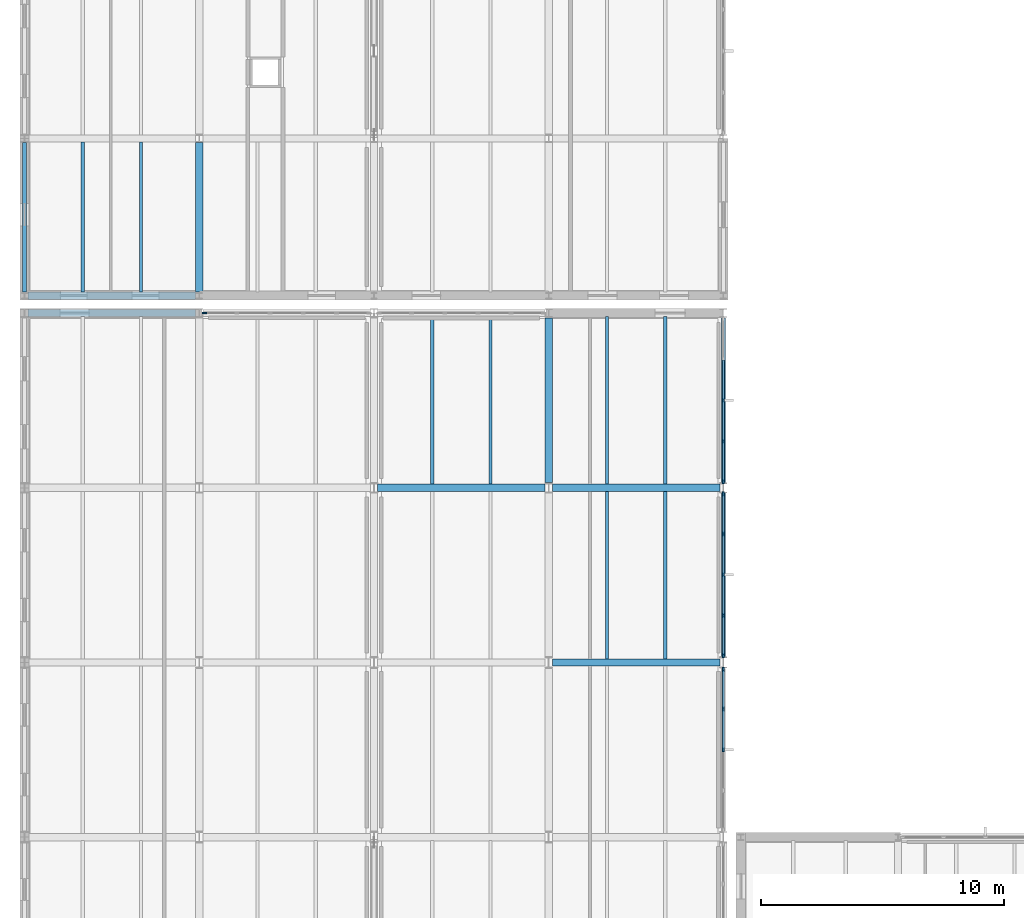
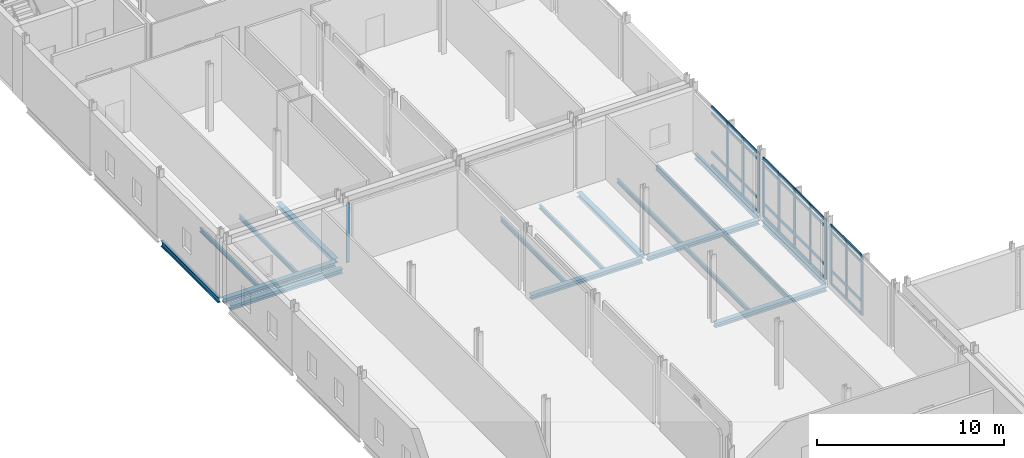
# One storey, part 19 of 72: 48 members, 18 beams, 4 elements without a shape of their own.
"""IFC4 building model written with IfcOpenShell, lengths in metres."""

import ifcopenshell
import ifcopenshell.guid

model = None  # the IFC model being written
_history = None  # IfcOwnerHistory: only IFC2X3 demands one
_inside = {}  # id of a spatial element -> (the spatial element, [elements in it])
_under = {}  # id of a project, library or spatial element -> (it, [spatial elements below it])
_declared = {}  # id of a project -> (the project, [libraries it declares])
_typed = {}  # id of a type object -> (the type object, [elements of that type])
_made_of = {}  # id of a material, layer set ... -> (it, [elements and type objects made of it])


def new_model(schema):
    """Start an empty IFC model of exactly this schema.

    Asked for "IFC4X3", IfcOpenShell would pick the latest addendum, in which some entities
    have other attributes; the version numbers below select the first issue.
    IFC2X3 requires an IfcOwnerHistory on every rooted entity: one is made here for all.
    """
    global model, _history
    if schema == "IFC4X3":
        model = ifcopenshell.file(schema_version=(4, 3, 0, 0))
    else:
        model = ifcopenshell.file(schema=schema)
    _inside.clear()
    _under.clear()
    _declared.clear()
    _typed.clear()
    _made_of.clear()
    _history = None
    if model.schema == "IFC2X3":
        org = make("IfcOrganization", Name="unknown")
        user = make(
            "IfcPersonAndOrganization",
            ThePerson=make("IfcPerson", FamilyName="unknown"),
            TheOrganization=org,
        )
        app = make(
            "IfcApplication",
            ApplicationDeveloper=org,
            Version="unknown",
            ApplicationFullName="unknown",
            ApplicationIdentifier="unknown",
        )
        _history = make(
            "IfcOwnerHistory",
            OwningUser=user,
            OwningApplication=app,
            ChangeAction="ADDED",
            CreationDate=0,
        )
    return model


def make(cls, **values):
    """One entity of the class cls with the attributes given. An attribute that is None is left unset."""
    return model.create_entity(
        cls, **{name: value for name, value in values.items() if value is not None}
    )


def rooted(cls, **values):
    """An entity with a GlobalId (a new one), such as an element, a storey or a relation."""
    return make(cls, GlobalId=ifcopenshell.guid.new(), OwnerHistory=_history, **values)


def si_unit(unit_type, name, prefix=None):
    """IfcSIUnit, for example si_unit("LENGTHUNIT", "METRE", prefix="MILLI")."""
    return make("IfcSIUnit", UnitType=unit_type, Prefix=prefix, Name=name)


def assignment(units):
    """IfcUnitAssignment: the units of a project."""
    return None if units is None else make("IfcUnitAssignment", Units=units)


def point(xyz):
    """IfcCartesianPoint."""
    return None if xyz is None else make("IfcCartesianPoint", Coordinates=xyz)


def direction(xyz):
    """IfcDirection."""
    return None if xyz is None else make("IfcDirection", DirectionRatios=xyz)


def frame(location, z_axis=None, x_axis=None):
    """IfcAxis2Placement3D, a coordinate frame: its origin and axes. An axis left out is left unset."""
    return make(
        "IfcAxis2Placement3D",
        Location=point(location),
        Axis=direction(z_axis),
        RefDirection=direction(x_axis),
    )


def frame_2d(location, x_axis=None):
    """IfcAxis2Placement2D, a coordinate frame in the plane: its origin and x axis."""
    return make(
        "IfcAxis2Placement2D", Location=point(location), RefDirection=direction(x_axis)
    )


def origin():
    """The frame at (0, 0, 0) with its axes left unset."""
    return frame((0.0, 0.0, 0.0))


def origin_2d():
    """The frame at (0, 0) in the plane with its x axis left unset."""
    return frame_2d((0.0, 0.0))


def place(relative_to, where):
    """IfcLocalPlacement: puts the frame where relative to a parent placement (None: the world)."""
    return make(
        "IfcLocalPlacement", PlacementRelTo=relative_to, RelativePlacement=where
    )


def context(
    kind, dimensions, precision=None, world=None, true_north=None, identifier=None
):
    """IfcGeometricRepresentationContext, for example the 3D "Model" context."""
    return make(
        "IfcGeometricRepresentationContext",
        ContextIdentifier=identifier,
        ContextType=kind,
        CoordinateSpaceDimension=dimensions,
        Precision=precision,
        WorldCoordinateSystem=world,
        TrueNorth=true_north,
    )


def subcontext(parent, identifier, kind, view, scale=None):
    """IfcGeometricRepresentationSubContext, for example "Body" below "Model"."""
    return make(
        "IfcGeometricRepresentationSubContext",
        ContextIdentifier=identifier,
        ContextType=kind,
        ParentContext=parent,
        TargetScale=scale,
        TargetView=view,
    )


def project(units=None, contexts=None):
    """IfcProject with its units and contexts."""
    return rooted(
        "IfcProject",
        Name="project",
        RepresentationContexts=contexts,
        UnitsInContext=assignment(units),
    )


def spatial(cls, under=None, at=None, **own):
    """A site, building, storey or space (cls), placed at a placement, below another one or the project."""
    s = rooted(cls, ObjectPlacement=at, **own)
    if under is not None:
        _under.setdefault(under.id(), (under, []))[1].append(s)
    return s


def profile(cls, at=None, kind="AREA", **sizes):
    """A parametric profile (cls). Its sizes go by their IFC names, for example OverallWidth=200.0."""
    return make(cls, ProfileType=kind, Position=at, **sizes)


def rectangle(**sizes):
    """IfcRectangleProfileDef."""
    return profile("IfcRectangleProfileDef", **sizes)


def i_section(**sizes):
    """IfcIShapeProfileDef."""
    return profile("IfcIShapeProfileDef", **sizes)


def extrude(swept, where, along, depth):
    """IfcExtrudedAreaSolid: the profile swept, set in the frame where, extruded along a direction by depth."""
    return make(
        "IfcExtrudedAreaSolid",
        SweptArea=swept,
        Position=where,
        ExtrudedDirection=direction(along),
        Depth=depth,
    )


def shape(context_of_items, identifier, shape_type, items):
    """IfcShapeRepresentation: the items that make up one representation, for example the "Body"."""
    return make(
        "IfcShapeRepresentation",
        ContextOfItems=context_of_items,
        RepresentationIdentifier=identifier,
        RepresentationType=shape_type,
        Items=items,
    )


def material(Name=None, Category=None):
    """IfcMaterial."""
    return make("IfcMaterial", Name=Name, Category=Category)


def layer(
    of_material, thickness, ventilated=None, Name=None, Category=None, Priority=None
):
    """IfcMaterialLayer: one layer of a wall or slab, of a material (None: an air gap)."""
    return make(
        "IfcMaterialLayer",
        Material=of_material,
        LayerThickness=thickness,
        IsVentilated=ventilated,
        Name=Name,
        Category=Category,
        Priority=Priority,
    )


def layer_set(layers, Name=None):
    """IfcMaterialLayerSet."""
    return make("IfcMaterialLayerSet", MaterialLayers=layers, LayerSetName=Name)


def material_profile(
    of_material, cross_section, Name=None, Category=None, Priority=None
):
    """IfcMaterialProfile: a cross section and its material."""
    return make(
        "IfcMaterialProfile",
        Name=Name,
        Material=of_material,
        Profile=cross_section,
        Priority=Priority,
        Category=Category,
    )


def profile_set(profiles, Name=None, composite=None):
    """IfcMaterialProfileSet."""
    return make(
        "IfcMaterialProfileSet",
        Name=Name,
        MaterialProfiles=profiles,
        CompositeProfile=composite,
    )


def made_of(thing, what):
    """Note that an element or type object is made of a material, layer set ...; save() writes the relation."""
    if what is not None:
        _made_of.setdefault(what.id(), (what, []))[1].append(thing)
    return thing


def type_object(cls, material=None, **own):
    """A type object (cls), such as IfcWallType, which elements share."""
    return made_of(rooted(cls, **own), material)


def element(
    cls,
    number,
    at=None,
    inside=None,
    cuts=None,
    type_object=None,
    material=None,
    context=None,
    identifier="Body",
    shape_type=None,
    held_by="IfcProductDefinitionShape",
    body=None,
    shapes=None,
    **own,
):
    """One element of the class cls, such as IfcWall. Its Tag is "e" and its number.

    at: its placement. inside: the storey or other place that contains it. cuts: it is an
    opening in that element (IfcRelVoidsElement). A single representation is given by context,
    identifier, shape_type and body (its items); several are given by shapes. held_by: the class
    of the entity that holds the representations. save() writes the other relations.
    """
    e = rooted(cls, Tag="e%d" % number, ObjectPlacement=at, **own)
    if body is not None:
        shapes = [shape(context, identifier, shape_type, body)]
    if shapes is not None:
        e.Representation = make(held_by, Representations=shapes)
    if inside is not None:
        _inside.setdefault(inside.id(), (inside, []))[1].append(e)
    if cuts is not None:
        rooted(
            "IfcRelVoidsElement", RelatingBuildingElement=cuts, RelatedOpeningElement=e
        )
    if type_object is not None:
        _typed.setdefault(type_object.id(), (type_object, []))[1].append(e)
    return made_of(e, material)


def aggregate(whole, parts):
    """IfcRelAggregates: a whole, such as a stair, and the parts it consists of."""
    return rooted("IfcRelAggregates", RelatingObject=whole, RelatedObjects=parts)


def save(model, path):
    """Write the relations noted so far, then the file.

    IfcRelAggregates (storeys below a building ...), IfcRelContainedInSpatialStructure (elements
    in a storey), IfcRelDefinesByType, IfcRelAssociatesMaterial and IfcRelDeclares: one each for
    every whole, place, type object, material and project.
    """
    for whole, parts in _under.values():
        aggregate(whole, parts)
    for where, things in _inside.values():
        rooted(
            "IfcRelContainedInSpatialStructure",
            RelatedElements=things,
            RelatingStructure=where,
        )
    for kind, things in _typed.values():
        rooted("IfcRelDefinesByType", RelatedObjects=things, RelatingType=kind)
    for what, things in _made_of.values():
        rooted("IfcRelAssociatesMaterial", RelatedObjects=things, RelatingMaterial=what)
    for by, libraries in _declared.values():
        rooted("IfcRelDeclares", RelatingContext=by, RelatedDefinitions=libraries)
    model.write(path)


model = new_model("IFC4")

# Units and contexts
model_context = context("Model", 3, precision=1e-05, world=origin(), true_north=direction((0.0, 1.0)))
body_context = subcontext(model_context, "Body", "Model", "MODEL_VIEW")
ifc_project = project(units=[si_unit("LENGTHUNIT", "METRE"), si_unit("AREAUNIT", "SQUARE_METRE"), si_unit("VOLUMEUNIT", "CUBIC_METRE"), si_unit("PLANEANGLEUNIT", "RADIAN"), si_unit("MASSUNIT", "GRAM", prefix="KILO")], contexts=[model_context])

# Site, building, storey
site_placement = place(None, origin())
site = spatial("IfcSite", under=ifc_project, at=site_placement, CompositionType="ELEMENT")
building_placement = place(site_placement, origin())
building = spatial("IfcBuilding", under=site, at=building_placement, Name="Zarrinpeak Specialist Clinic", CompositionType="ELEMENT")
storey_placement = place(building_placement, frame((0.0, 0.0, 9.60009765625)))
storey = spatial("IfcBuildingStorey", under=building, at=storey_placement, Name="L02", CompositionType="ELEMENT", Elevation=9.60009765625)

# Beams
ifc_material_1 = material(Name="Steel S355", Category="steel")
ifc_material_profile_1 = material_profile(ifc_material_1, i_section(OverallWidth=0.300048828125, OverallDepth=0.2900390625, WebThickness=0.008544921875, FlangeThickness=0.013916015625, FilletRadius=0.027099609375, at=origin_2d()), Name="HEA 300")
ifc_profile_set_1 = profile_set([ifc_material_profile_1], Name="Steel S355")
beam_type_1 = type_object("IfcBeamType", Name="BM-HEA300", PredefinedType="BEAM", material=ifc_profile_set_1)
beam_1_placement = place(storey_placement, frame((21.748046875, 36.0, -0.360107421875), z_axis=(1.0, 0.0, 0.0), x_axis=(0.0, 1.0, 0.0)))
element("IfcBeam", 1, at=beam_1_placement, inside=storey, type_object=beam_type_1, Name="L02 Primary Floor Girder BM-L02-X1164", PredefinedType="BEAM", context=body_context, shape_type="SweptSolid", body=[
    extrude(i_section(OverallWidth=0.300048828125, OverallDepth=0.2900390625, WebThickness=0.008544921875, FlangeThickness=0.013916015625, FilletRadius=0.027099609375, at=origin_2d()), origin(), (0.0, 0.0, 1.0), 6.904052734375),
])
beam_2_placement = place(storey_placement, frame((14.548095703125, 43.199951171875, -0.360107421875), z_axis=(1.0, 0.0, 0.0), x_axis=(0.0, 1.0, 0.0)))
element("IfcBeam", 2, at=beam_2_placement, inside=storey, type_object=beam_type_1, Name="L02 Primary Floor Girder BM-L02-X1168", PredefinedType="BEAM", context=body_context, shape_type="SweptSolid", body=[
    extrude(i_section(OverallWidth=0.300048828125, OverallDepth=0.2900390625, WebThickness=0.008544921875, FlangeThickness=0.013916015625, FilletRadius=0.027099609375, at=origin_2d()), origin(), (0.0, 0.0, 1.0), 6.90380859375),
])
for number, where, z_axis, x_axis, name in (
    (3, (21.748046875, 43.199951171875, -0.360107421875), (1.0, 0.0, 0.0), (0.0, 1.0, 0.0), "L02 Primary Floor Girder BM-L02-X1169"),
    (4, (0.14794921875, 50.39990234375, -0.360107421875), (1.0, 0.0, 0.0), (0.0, 1.0, 0.0), "L02 Primary Floor Girder BM-L02-X1172"),
    (5, (0.14794921875, 51.1201171875, -0.360107421875), (1.0, 0.0, 0.0), (0.0, 1.0, 0.0), "L02 Primary Floor Girder BM-L02-X1177"),
):
    element("IfcBeam", number, at=place(storey_placement, frame(where, z_axis=z_axis, x_axis=x_axis)), inside=storey, type_object=beam_type_1, Name=name, PredefinedType="BEAM", context=body_context, shape_type="SweptSolid", body=[
        extrude(i_section(OverallWidth=0.300048828125, OverallDepth=0.2900390625, WebThickness=0.008544921875, FlangeThickness=0.013916015625, FilletRadius=0.027099609375, at=origin_2d()), origin(), (0.0, 0.0, 1.0), 6.904052734375),
    ])
beam_3_placement = place(storey_placement, frame((7.199951171875, 51.278076171875, -0.360107421875), z_axis=(0.0, 1.0, 0.0), x_axis=(-1.0, 0.0, 0.0)))
element("IfcBeam", 6, at=beam_3_placement, inside=storey, type_object=beam_type_1, Name="L02 Primary Beam BM-L02-Y1237", PredefinedType="BEAM", context=body_context, shape_type="SweptSolid", body=[
    extrude(i_section(OverallWidth=0.300048828125, OverallDepth=0.2900390625, WebThickness=0.008544921875, FlangeThickness=0.013916015625, FilletRadius=0.027099609375, at=origin_2d()), origin(), (0.0, 0.0, 1.0), 6.14404296875),
])
beam_4_placement = place(storey_placement, frame((21.60009765625, 43.423095703125, -0.360107421875), z_axis=(0.0, 1.0, 0.0), x_axis=(-1.0, 0.0, 0.0)))
element("IfcBeam", 7, at=beam_4_placement, inside=storey, type_object=beam_type_1, Name="L02 Primary Beam BM-L02-Y1260", PredefinedType="BEAM", context=body_context, shape_type="SweptSolid", body=[
    extrude(i_section(OverallWidth=0.300048828125, OverallDepth=0.2900390625, WebThickness=0.008544921875, FlangeThickness=0.013916015625, FilletRadius=0.027099609375, at=origin_2d()), origin(), (0.0, 0.0, 1.0), 6.77880859375),
])
ifc_material_profile_2 = material_profile(ifc_material_1, i_section(OverallWidth=0.135009765625, OverallDepth=0.27001953125, WebThickness=0.006591796875, FlangeThickness=0.01025390625, FilletRadius=0.014892578125, at=origin_2d()), Name="IPE 270")
ifc_profile_set_2 = profile_set([ifc_material_profile_2], Name="Steel S355")
beam_type_2 = type_object("IfcBeamType", Name="BM-JST270", PredefinedType="JOIST", material=ifc_profile_set_2)
for number, where, z_axis, x_axis, name in (
    (8, (16.800048828125, 43.347900390625, -0.35009765625), (0.0, 1.0, 0.0), (-1.0, 0.0, 0.0), "L02 Composite Floor Joist JST-L02-1365"),
    (9, (19.199951171875, 43.347900390625, -0.35009765625), (0.0, 1.0, 0.0), (-1.0, 0.0, 0.0), "L02 Composite Floor Joist JST-L02-1366"),
    (10, (24.0, 36.14794921875, -0.35009765625), (0.0, 1.0, 0.0), (-1.0, 0.0, 0.0), "L02 Composite Floor Joist JST-L02-1371"),
    (11, (26.39990234375, 36.14794921875, -0.35009765625), (0.0, 1.0, 0.0), (-1.0, 0.0, 0.0), "L02 Composite Floor Joist JST-L02-1372"),
    (12, (24.0, 43.347900390625, -0.35009765625), (0.0, 1.0, 0.0), (-1.0, 0.0, 0.0), "L02 Composite Floor Joist JST-L02-1373"),
    (13, (26.39990234375, 43.347900390625, -0.35009765625), (0.0, 1.0, 0.0), (-1.0, 0.0, 0.0), "L02 Composite Floor Joist JST-L02-1374"),
):
    element("IfcBeam", number, at=place(storey_placement, frame(where, z_axis=z_axis, x_axis=x_axis)), inside=storey, type_object=beam_type_2, Name=name, PredefinedType="JOIST", context=body_context, shape_type="SweptSolid", body=[
        extrude(i_section(OverallWidth=0.135009765625, OverallDepth=0.27001953125, WebThickness=0.006591796875, FlangeThickness=0.01025390625, FilletRadius=0.014892578125, at=origin_2d()), origin(), (0.0, 0.0, 1.0), 6.904052734375),
    ])
for number, where, z_axis, x_axis, name in (
    (14, (2.39990234375, 51.26806640625, -0.35009765625), (0.0, 1.0, 0.0), (-1.0, 0.0, 0.0), "L02 Composite Floor Joist JST-L02-1423"),
    (15, (4.800048828125, 51.26806640625, -0.35009765625), (0.0, 1.0, 0.0), (-1.0, 0.0, 0.0), "L02 Composite Floor Joist JST-L02-1424"),
):
    element("IfcBeam", number, at=place(storey_placement, frame(where, z_axis=z_axis, x_axis=x_axis)), inside=storey, type_object=beam_type_2, Name=name, PredefinedType="JOIST", context=body_context, shape_type="SweptSolid", body=[
        extrude(i_section(OverallWidth=0.135009765625, OverallDepth=0.27001953125, WebThickness=0.006591796875, FlangeThickness=0.01025390625, FilletRadius=0.014892578125, at=origin_2d()), origin(), (0.0, 0.0, 1.0), 6.183837890625),
    ])
ifc_material_profile_3 = material_profile(ifc_material_1, i_section(OverallWidth=0.169921875, OverallDepth=0.360107421875, WebThickness=0.008056640625, FlangeThickness=0.0126953125, FilletRadius=0.01806640625, at=origin_2d()), Name="IPE 360")
ifc_profile_set_3 = profile_set([ifc_material_profile_3], Name="Steel S355")
beam_type_3 = type_object("IfcBeamType", Name="BM-SP360", PredefinedType="SPANDREL", material=ifc_profile_set_3)
beam_5_placement = place(storey_placement, frame((0.0, 51.278076171875, -0.39501953125), z_axis=(0.0, 1.0, 0.0), x_axis=(-1.0, 0.0, 0.0)))
element("IfcBeam", 16, at=beam_5_placement, inside=storey, type_object=beam_type_3, Name="L02 Perimeter Spandrel Beam BM-L02-Y1227", PredefinedType="SPANDREL", context=body_context, shape_type="SweptSolid", body=[
    extrude(i_section(OverallWidth=0.169921875, OverallDepth=0.360107421875, WebThickness=0.008056640625, FlangeThickness=0.0126953125, FilletRadius=0.01806640625, at=origin_2d()), origin(), (0.0, 0.0, 1.0), 6.14404296875),
])
beam_6_placement = place(storey_placement, frame((28.800048828125, 36.248046875, -0.39501953125), z_axis=(0.0, 1.0, 0.0), x_axis=(-1.0, 0.0, 0.0)))
element("IfcBeam", 17, at=beam_6_placement, inside=storey, type_object=beam_type_3, Name="L02 Perimeter Spandrel Beam BM-L02-Y1268", PredefinedType="SPANDREL", context=body_context, shape_type="SweptSolid", body=[
    extrude(i_section(OverallWidth=0.169921875, OverallDepth=0.360107421875, WebThickness=0.008056640625, FlangeThickness=0.0126953125, FilletRadius=0.01806640625, at=origin_2d()), origin(), (0.0, 0.0, 1.0), 6.72900390625),
])
beam_7_placement = place(storey_placement, frame((28.800048828125, 43.423095703125, -0.39501953125), z_axis=(0.0, 1.0, 0.0), x_axis=(-1.0, 0.0, 0.0)))
element("IfcBeam", 18, at=beam_7_placement, inside=storey, type_object=beam_type_3, Name="L02 Perimeter Spandrel Beam BM-L02-Y1269", PredefinedType="SPANDREL", context=body_context, shape_type="SweptSolid", body=[
    extrude(i_section(OverallWidth=0.169921875, OverallDepth=0.360107421875, WebThickness=0.008056640625, FlangeThickness=0.0126953125, FilletRadius=0.01806640625, at=origin_2d()), origin(), (0.0, 0.0, 1.0), 6.77880859375),
])

# Curtain wall, member
ifc_material_2 = material(Name="Anodised Aluminium Alloy 6063-T6", Category="aluminium")
ifc_layer_1 = layer(ifc_material_2, 0.1650390625)
ifc_layer_set_1 = layer_set([ifc_layer_1], Name="Anodised Aluminium Alloy 6063-T6")
curtain_wall_type_1 = type_object("IfcCurtainWallType", Name="CW-CLINIC", PredefinedType="NOTDEFINED", material=ifc_layer_set_1)
curtain_wall_1_placement = place(storey_placement, origin())
curtain_wall_1 = element("IfcCurtainWall", 19, at=curtain_wall_1_placement, inside=storey, type_object=curtain_wall_type_1, Name="L02 V1 Unitised Curtain Wall CW-L02-V1-013", PredefinedType="NOTDEFINED")
ifc_material_profile_4 = material_profile(ifc_material_2, rectangle(XDim=0.074951171875, YDim=0.179931640625, at=origin_2d()), Name="ALU 75x180")
ifc_profile_set_4 = profile_set([ifc_material_profile_4], Name="Anodised Aluminium Alloy 6063-T6")
member_type_1 = type_object("IfcMemberType", Name="CWM-75", PredefinedType="MULLION", material=ifc_profile_set_4)
member_1_placement = place(storey_placement, frame((7.41259765625, 50.39990234375, 0.0), z_axis=(0.0, 0.0, 1.0), x_axis=(0.0, -1.0, 0.0)))
member_1 = element("IfcMember", 20, at=member_1_placement, type_object=member_type_1, Name="CW-03 mullion 6", PredefinedType="MULLION", context=body_context, shape_type="SweptSolid", body=[
    extrude(rectangle(XDim=0.074951171875, YDim=0.179931640625, at=origin_2d()), origin(), (0.0, 0.0, 1.0), 3.89501953125),
])
aggregate(curtain_wall_1, [member_1])

# Curtain wall, members
ifc_layer_2 = layer(ifc_material_2, 0.179931640625)
ifc_layer_set_2 = layer_set([ifc_layer_2], Name="Anodised Aluminium Alloy 6063-T6")
curtain_wall_type_2 = type_object("IfcCurtainWallType", Name="CW-COURT", PredefinedType="NOTDEFINED", material=ifc_layer_set_2)
curtain_wall_2_placement = place(storey_placement, origin())
curtain_wall_2 = element("IfcCurtainWall", 21, at=curtain_wall_2_placement, inside=storey, type_object=curtain_wall_type_2, Name="L02 V1 Unitised Curtain Wall CW-L02-V1-016", PredefinedType="NOTDEFINED")
member_2_placement = place(storey_placement, frame((28.800048828125, 32.39990234375, 0.0), z_axis=(0.0, 0.0, 1.0), x_axis=(-1.0, 0.0, 0.0)))
member_2 = element("IfcMember", 22, at=member_2_placement, type_object=member_type_1, Name="CW-01 mullion 3", PredefinedType="MULLION", context=body_context, shape_type="SweptSolid", body=[
    extrude(rectangle(XDim=0.074951171875, YDim=0.179931640625, at=origin_2d()), origin(), (0.0, 0.0, 1.0), 3.885009765625),
])
member_3_placement = place(storey_placement, frame((28.800048828125, 34.074951171875, 0.0), z_axis=(0.0, 0.0, 1.0), x_axis=(-1.0, 0.0, 0.0)))
member_3 = element("IfcMember", 23, at=member_3_placement, type_object=member_type_1, Name="CW-01 mullion 4", PredefinedType="MULLION", context=body_context, shape_type="SweptSolid", body=[
    extrude(rectangle(XDim=0.074951171875, YDim=0.179931640625, at=origin_2d()), origin(), (0.0, 0.0, 1.0), 3.885009765625),
])
member_4_placement = place(storey_placement, frame((28.800048828125, 35.71240234375, 0.0), z_axis=(0.0, 0.0, 1.0), x_axis=(-1.0, 0.0, 0.0)))
member_4 = element("IfcMember", 24, at=member_4_placement, type_object=member_type_1, Name="CW-01 mullion 5", PredefinedType="MULLION", context=body_context, shape_type="SweptSolid", body=[
    extrude(rectangle(XDim=0.074951171875, YDim=0.179931640625, at=origin_2d()), origin(), (0.0, 0.0, 1.0), 3.885009765625),
])

curtain_wall_3_placement = place(storey_placement, origin())
curtain_wall_3 = element("IfcCurtainWall", 25, at=curtain_wall_3_placement, inside=storey, type_object=curtain_wall_type_2, Name="L02 V1 Unitised Curtain Wall CW-L02-V1-017", PredefinedType="NOTDEFINED")
member_5_placement = place(storey_placement, frame((28.800048828125, 36.28759765625, 0.0), z_axis=(0.0, 0.0, 1.0), x_axis=(-1.0, 0.0, 0.0)))
member_5 = element("IfcMember", 26, at=member_5_placement, type_object=member_type_1, Name="CW-01 mullion 1", PredefinedType="MULLION", context=body_context, shape_type="SweptSolid", body=[
    extrude(rectangle(XDim=0.074951171875, YDim=0.179931640625, at=origin_2d()), origin(), (0.0, 0.0, 1.0), 3.885009765625),
])
member_6_placement = place(storey_placement, frame((28.800048828125, 37.93115234375, 0.0), z_axis=(0.0, 0.0, 1.0), x_axis=(-1.0, 0.0, 0.0)))
member_6 = element("IfcMember", 27, at=member_6_placement, type_object=member_type_1, Name="CW-01 mullion 2", PredefinedType="MULLION", context=body_context, shape_type="SweptSolid", body=[
    extrude(rectangle(XDim=0.074951171875, YDim=0.179931640625, at=origin_2d()), origin(), (0.0, 0.0, 1.0), 3.885009765625),
])
member_7_placement = place(storey_placement, frame((28.800048828125, 39.612548828125, 0.0), z_axis=(0.0, 0.0, 1.0), x_axis=(-1.0, 0.0, 0.0)))
member_7 = element("IfcMember", 28, at=member_7_placement, type_object=member_type_1, Name="CW-01 mullion 3", PredefinedType="MULLION", context=body_context, shape_type="SweptSolid", body=[
    extrude(rectangle(XDim=0.074951171875, YDim=0.179931640625, at=origin_2d()), origin(), (0.0, 0.0, 1.0), 3.885009765625),
])
member_8_placement = place(storey_placement, frame((28.800048828125, 41.293701171875, 0.0), z_axis=(0.0, 0.0, 1.0), x_axis=(-1.0, 0.0, 0.0)))
member_8 = element("IfcMember", 29, at=member_8_placement, type_object=member_type_1, Name="CW-01 mullion 4", PredefinedType="MULLION", context=body_context, shape_type="SweptSolid", body=[
    extrude(rectangle(XDim=0.074951171875, YDim=0.179931640625, at=origin_2d()), origin(), (0.0, 0.0, 1.0), 3.885009765625),
])
member_9_placement = place(storey_placement, frame((28.800048828125, 42.9375, 0.0), z_axis=(0.0, 0.0, 1.0), x_axis=(-1.0, 0.0, 0.0)))
member_9 = element("IfcMember", 30, at=member_9_placement, type_object=member_type_1, Name="CW-01 mullion 5", PredefinedType="MULLION", context=body_context, shape_type="SweptSolid", body=[
    extrude(rectangle(XDim=0.074951171875, YDim=0.179931640625, at=origin_2d()), origin(), (0.0, 0.0, 1.0), 3.885009765625),
])

curtain_wall_4_placement = place(storey_placement, origin())
curtain_wall_4 = element("IfcCurtainWall", 31, at=curtain_wall_4_placement, inside=storey, type_object=curtain_wall_type_2, Name="L02 V1 Unitised Curtain Wall CW-L02-V1-018", PredefinedType="NOTDEFINED")
member_10_placement = place(storey_placement, frame((28.800048828125, 43.46240234375, 0.0), z_axis=(0.0, 0.0, 1.0), x_axis=(-1.0, 0.0, 0.0)))
member_10 = element("IfcMember", 32, at=member_10_placement, type_object=member_type_1, Name="CW-01 mullion 1", PredefinedType="MULLION", context=body_context, shape_type="SweptSolid", body=[
    extrude(rectangle(XDim=0.074951171875, YDim=0.179931640625, at=origin_2d()), origin(), (0.0, 0.0, 1.0), 3.885009765625),
])
member_11_placement = place(storey_placement, frame((28.800048828125, 45.117431640625, 0.0), z_axis=(0.0, 0.0, 1.0), x_axis=(-1.0, 0.0, 0.0)))
member_11 = element("IfcMember", 33, at=member_11_placement, type_object=member_type_1, Name="CW-01 mullion 2", PredefinedType="MULLION", context=body_context, shape_type="SweptSolid", body=[
    extrude(rectangle(XDim=0.074951171875, YDim=0.179931640625, at=origin_2d()), origin(), (0.0, 0.0, 1.0), 3.885009765625),
])
member_12_placement = place(storey_placement, frame((28.800048828125, 46.81005859375, 0.0), z_axis=(0.0, 0.0, 1.0), x_axis=(-1.0, 0.0, 0.0)))
member_12 = element("IfcMember", 34, at=member_12_placement, type_object=member_type_1, Name="CW-01 mullion 3", PredefinedType="MULLION", context=body_context, shape_type="SweptSolid", body=[
    extrude(rectangle(XDim=0.074951171875, YDim=0.179931640625, at=origin_2d()), origin(), (0.0, 0.0, 1.0), 3.885009765625),
])

# Member
ifc_material_profile_5 = material_profile(ifc_material_2, rectangle(XDim=0.074951171875, YDim=0.159912109375, at=origin_2d()), Name="ALU 75x160")
ifc_profile_set_5 = profile_set([ifc_material_profile_5], Name="Anodised Aluminium Alloy 6063-T6")
member_type_2 = type_object("IfcMemberType", Name="CWT-75", PredefinedType="USERDEFINED", material=ifc_profile_set_5)
member_13_placement = place(storey_placement, frame((28.800048828125, 32.4375, 0.037353515625), z_axis=(0.0, 1.0, 0.0), x_axis=(-1.0, 0.0, 0.0)))
member_13 = element("IfcMember", 35, at=member_13_placement, type_object=member_type_2, Name="CW-01 transom 3.1", ObjectType="TRANSOM", PredefinedType="USERDEFINED", context=body_context, shape_type="SweptSolid", body=[
    extrude(rectangle(XDim=0.074951171875, YDim=0.159912109375, at=origin_2d()), origin(), (0.0, 0.0, 1.0), 1.60009765625),
])

member_14_placement = place(storey_placement, frame((28.800048828125, 32.4375, 0.89990234375), z_axis=(0.0, 1.0, 0.0), x_axis=(-1.0, 0.0, 0.0)))
member_14 = element("IfcMember", 36, at=member_14_placement, type_object=member_type_2, Name="CW-01 transom 3.2", ObjectType="TRANSOM", PredefinedType="USERDEFINED", context=body_context, shape_type="SweptSolid", body=[
    extrude(rectangle(XDim=0.074951171875, YDim=0.159912109375, at=origin_2d()), origin(), (0.0, 0.0, 1.0), 1.60009765625),
])

member_15_placement = place(storey_placement, frame((28.800048828125, 32.4375, 3.434814453125), z_axis=(0.0, 1.0, 0.0), x_axis=(-1.0, 0.0, 0.0)))
member_15 = element("IfcMember", 37, at=member_15_placement, type_object=member_type_2, Name="CW-01 transom 3.3", ObjectType="TRANSOM", PredefinedType="USERDEFINED", context=body_context, shape_type="SweptSolid", body=[
    extrude(rectangle(XDim=0.074951171875, YDim=0.159912109375, at=origin_2d()), origin(), (0.0, 0.0, 1.0), 1.60009765625),
])

member_16_placement = place(storey_placement, frame((28.800048828125, 32.4375, 3.847412109375), z_axis=(0.0, 1.0, 0.0), x_axis=(-1.0, 0.0, 0.0)))
member_16 = element("IfcMember", 38, at=member_16_placement, type_object=member_type_2, Name="CW-01 transom 3.4", ObjectType="TRANSOM", PredefinedType="USERDEFINED", context=body_context, shape_type="SweptSolid", body=[
    extrude(rectangle(XDim=0.074951171875, YDim=0.159912109375, at=origin_2d()), origin(), (0.0, 0.0, 1.0), 1.60009765625),
])

member_17_placement = place(storey_placement, frame((28.800048828125, 34.112548828125, 0.037353515625), z_axis=(0.0, 1.0, 0.0), x_axis=(-1.0, 0.0, 0.0)))
member_17 = element("IfcMember", 39, at=member_17_placement, type_object=member_type_2, Name="CW-01 transom 4.1", ObjectType="TRANSOM", PredefinedType="USERDEFINED", context=body_context, shape_type="SweptSolid", body=[
    extrude(rectangle(XDim=0.074951171875, YDim=0.159912109375, at=origin_2d()), origin(), (0.0, 0.0, 1.0), 1.5625),
])

member_18_placement = place(storey_placement, frame((28.800048828125, 34.112548828125, 0.89990234375), z_axis=(0.0, 1.0, 0.0), x_axis=(-1.0, 0.0, 0.0)))
member_18 = element("IfcMember", 40, at=member_18_placement, type_object=member_type_2, Name="CW-01 transom 4.2", ObjectType="TRANSOM", PredefinedType="USERDEFINED", context=body_context, shape_type="SweptSolid", body=[
    extrude(rectangle(XDim=0.074951171875, YDim=0.159912109375, at=origin_2d()), origin(), (0.0, 0.0, 1.0), 1.5625),
])

member_19_placement = place(storey_placement, frame((28.800048828125, 34.112548828125, 3.434814453125), z_axis=(0.0, 1.0, 0.0), x_axis=(-1.0, 0.0, 0.0)))
member_19 = element("IfcMember", 41, at=member_19_placement, type_object=member_type_2, Name="CW-01 transom 4.3", ObjectType="TRANSOM", PredefinedType="USERDEFINED", context=body_context, shape_type="SweptSolid", body=[
    extrude(rectangle(XDim=0.074951171875, YDim=0.159912109375, at=origin_2d()), origin(), (0.0, 0.0, 1.0), 1.5625),
])

member_20_placement = place(storey_placement, frame((28.800048828125, 34.112548828125, 3.847412109375), z_axis=(0.0, 1.0, 0.0), x_axis=(-1.0, 0.0, 0.0)))
member_20 = element("IfcMember", 42, at=member_20_placement, type_object=member_type_2, Name="CW-01 transom 4.4", ObjectType="TRANSOM", PredefinedType="USERDEFINED", context=body_context, shape_type="SweptSolid", body=[
    extrude(rectangle(XDim=0.074951171875, YDim=0.159912109375, at=origin_2d()), origin(), (0.0, 0.0, 1.0), 1.5625),
])

aggregate(curtain_wall_2, [member_2, member_3, member_4, member_13, member_14, member_15, member_16, member_17, member_18, member_19, member_20])

member_21_placement = place(storey_placement, frame((28.800048828125, 36.324951171875, 0.037353515625), z_axis=(0.0, 1.0, 0.0), x_axis=(-1.0, 0.0, 0.0)))
member_21 = element("IfcMember", 43, at=member_21_placement, type_object=member_type_2, Name="CW-01 transom 1.1", ObjectType="TRANSOM", PredefinedType="USERDEFINED", context=body_context, shape_type="SweptSolid", body=[
    extrude(rectangle(XDim=0.074951171875, YDim=0.159912109375, at=origin_2d()), origin(), (0.0, 0.0, 1.0), 1.56884765625),
])

member_22_placement = place(storey_placement, frame((28.800048828125, 36.324951171875, 0.89990234375), z_axis=(0.0, 1.0, 0.0), x_axis=(-1.0, 0.0, 0.0)))
member_22 = element("IfcMember", 44, at=member_22_placement, type_object=member_type_2, Name="CW-01 transom 1.2", ObjectType="TRANSOM", PredefinedType="USERDEFINED", context=body_context, shape_type="SweptSolid", body=[
    extrude(rectangle(XDim=0.074951171875, YDim=0.159912109375, at=origin_2d()), origin(), (0.0, 0.0, 1.0), 1.56884765625),
])

member_23_placement = place(storey_placement, frame((28.800048828125, 36.324951171875, 3.434814453125), z_axis=(0.0, 1.0, 0.0), x_axis=(-1.0, 0.0, 0.0)))
member_23 = element("IfcMember", 45, at=member_23_placement, type_object=member_type_2, Name="CW-01 transom 1.3", ObjectType="TRANSOM", PredefinedType="USERDEFINED", context=body_context, shape_type="SweptSolid", body=[
    extrude(rectangle(XDim=0.074951171875, YDim=0.159912109375, at=origin_2d()), origin(), (0.0, 0.0, 1.0), 1.56884765625),
])

member_24_placement = place(storey_placement, frame((28.800048828125, 36.324951171875, 3.847412109375), z_axis=(0.0, 1.0, 0.0), x_axis=(-1.0, 0.0, 0.0)))
member_24 = element("IfcMember", 46, at=member_24_placement, type_object=member_type_2, Name="CW-01 transom 1.4", ObjectType="TRANSOM", PredefinedType="USERDEFINED", context=body_context, shape_type="SweptSolid", body=[
    extrude(rectangle(XDim=0.074951171875, YDim=0.159912109375, at=origin_2d()), origin(), (0.0, 0.0, 1.0), 1.56884765625),
])

member_25_placement = place(storey_placement, frame((28.800048828125, 37.96875, 0.037353515625), z_axis=(0.0, 1.0, 0.0), x_axis=(-1.0, 0.0, 0.0)))
member_25 = element("IfcMember", 47, at=member_25_placement, type_object=member_type_2, Name="CW-01 transom 2.1", ObjectType="TRANSOM", PredefinedType="USERDEFINED", context=body_context, shape_type="SweptSolid", body=[
    extrude(rectangle(XDim=0.074951171875, YDim=0.159912109375, at=origin_2d()), origin(), (0.0, 0.0, 1.0), 1.606201171875),
])

member_26_placement = place(storey_placement, frame((28.800048828125, 37.96875, 0.89990234375), z_axis=(0.0, 1.0, 0.0), x_axis=(-1.0, 0.0, 0.0)))
member_26 = element("IfcMember", 48, at=member_26_placement, type_object=member_type_2, Name="CW-01 transom 2.2", ObjectType="TRANSOM", PredefinedType="USERDEFINED", context=body_context, shape_type="SweptSolid", body=[
    extrude(rectangle(XDim=0.074951171875, YDim=0.159912109375, at=origin_2d()), origin(), (0.0, 0.0, 1.0), 1.606201171875),
])

member_27_placement = place(storey_placement, frame((28.800048828125, 37.96875, 3.434814453125), z_axis=(0.0, 1.0, 0.0), x_axis=(-1.0, 0.0, 0.0)))
member_27 = element("IfcMember", 49, at=member_27_placement, type_object=member_type_2, Name="CW-01 transom 2.3", ObjectType="TRANSOM", PredefinedType="USERDEFINED", context=body_context, shape_type="SweptSolid", body=[
    extrude(rectangle(XDim=0.074951171875, YDim=0.159912109375, at=origin_2d()), origin(), (0.0, 0.0, 1.0), 1.606201171875),
])

member_28_placement = place(storey_placement, frame((28.800048828125, 37.96875, 3.847412109375), z_axis=(0.0, 1.0, 0.0), x_axis=(-1.0, 0.0, 0.0)))
member_28 = element("IfcMember", 50, at=member_28_placement, type_object=member_type_2, Name="CW-01 transom 2.4", ObjectType="TRANSOM", PredefinedType="USERDEFINED", context=body_context, shape_type="SweptSolid", body=[
    extrude(rectangle(XDim=0.074951171875, YDim=0.159912109375, at=origin_2d()), origin(), (0.0, 0.0, 1.0), 1.606201171875),
])

member_29_placement = place(storey_placement, frame((28.800048828125, 39.64990234375, 0.037353515625), z_axis=(0.0, 1.0, 0.0), x_axis=(-1.0, 0.0, 0.0)))
member_29 = element("IfcMember", 51, at=member_29_placement, type_object=member_type_2, Name="CW-01 transom 3.1", ObjectType="TRANSOM", PredefinedType="USERDEFINED", context=body_context, shape_type="SweptSolid", body=[
    extrude(rectangle(XDim=0.074951171875, YDim=0.159912109375, at=origin_2d()), origin(), (0.0, 0.0, 1.0), 1.6064453125),
])

member_30_placement = place(storey_placement, frame((28.800048828125, 39.64990234375, 0.89990234375), z_axis=(0.0, 1.0, 0.0), x_axis=(-1.0, 0.0, 0.0)))
member_30 = element("IfcMember", 52, at=member_30_placement, type_object=member_type_2, Name="CW-01 transom 3.2", ObjectType="TRANSOM", PredefinedType="USERDEFINED", context=body_context, shape_type="SweptSolid", body=[
    extrude(rectangle(XDim=0.074951171875, YDim=0.159912109375, at=origin_2d()), origin(), (0.0, 0.0, 1.0), 1.6064453125),
])

member_31_placement = place(storey_placement, frame((28.800048828125, 39.64990234375, 3.434814453125), z_axis=(0.0, 1.0, 0.0), x_axis=(-1.0, 0.0, 0.0)))
member_31 = element("IfcMember", 53, at=member_31_placement, type_object=member_type_2, Name="CW-01 transom 3.3", ObjectType="TRANSOM", PredefinedType="USERDEFINED", context=body_context, shape_type="SweptSolid", body=[
    extrude(rectangle(XDim=0.074951171875, YDim=0.159912109375, at=origin_2d()), origin(), (0.0, 0.0, 1.0), 1.6064453125),
])

member_32_placement = place(storey_placement, frame((28.800048828125, 39.64990234375, 3.847412109375), z_axis=(0.0, 1.0, 0.0), x_axis=(-1.0, 0.0, 0.0)))
member_32 = element("IfcMember", 54, at=member_32_placement, type_object=member_type_2, Name="CW-01 transom 3.4", ObjectType="TRANSOM", PredefinedType="USERDEFINED", context=body_context, shape_type="SweptSolid", body=[
    extrude(rectangle(XDim=0.074951171875, YDim=0.159912109375, at=origin_2d()), origin(), (0.0, 0.0, 1.0), 1.6064453125),
])

member_33_placement = place(storey_placement, frame((28.800048828125, 41.331298828125, 0.037353515625), z_axis=(0.0, 1.0, 0.0), x_axis=(-1.0, 0.0, 0.0)))
member_33 = element("IfcMember", 55, at=member_33_placement, type_object=member_type_2, Name="CW-01 transom 4.1", ObjectType="TRANSOM", PredefinedType="USERDEFINED", context=body_context, shape_type="SweptSolid", body=[
    extrude(rectangle(XDim=0.074951171875, YDim=0.159912109375, at=origin_2d()), origin(), (0.0, 0.0, 1.0), 1.568603515625),
])

member_34_placement = place(storey_placement, frame((28.800048828125, 41.331298828125, 0.89990234375), z_axis=(0.0, 1.0, 0.0), x_axis=(-1.0, 0.0, 0.0)))
member_34 = element("IfcMember", 56, at=member_34_placement, type_object=member_type_2, Name="CW-01 transom 4.2", ObjectType="TRANSOM", PredefinedType="USERDEFINED", context=body_context, shape_type="SweptSolid", body=[
    extrude(rectangle(XDim=0.074951171875, YDim=0.159912109375, at=origin_2d()), origin(), (0.0, 0.0, 1.0), 1.568603515625),
])

member_35_placement = place(storey_placement, frame((28.800048828125, 41.331298828125, 3.434814453125), z_axis=(0.0, 1.0, 0.0), x_axis=(-1.0, 0.0, 0.0)))
member_35 = element("IfcMember", 57, at=member_35_placement, type_object=member_type_2, Name="CW-01 transom 4.3", ObjectType="TRANSOM", PredefinedType="USERDEFINED", context=body_context, shape_type="SweptSolid", body=[
    extrude(rectangle(XDim=0.074951171875, YDim=0.159912109375, at=origin_2d()), origin(), (0.0, 0.0, 1.0), 1.568603515625),
])

member_36_placement = place(storey_placement, frame((28.800048828125, 41.331298828125, 3.847412109375), z_axis=(0.0, 1.0, 0.0), x_axis=(-1.0, 0.0, 0.0)))
member_36 = element("IfcMember", 58, at=member_36_placement, type_object=member_type_2, Name="CW-01 transom 4.4", ObjectType="TRANSOM", PredefinedType="USERDEFINED", context=body_context, shape_type="SweptSolid", body=[
    extrude(rectangle(XDim=0.074951171875, YDim=0.159912109375, at=origin_2d()), origin(), (0.0, 0.0, 1.0), 1.568603515625),
])

aggregate(curtain_wall_3, [member_5, member_6, member_7, member_8, member_9, member_21, member_22, member_23, member_24, member_25, member_26, member_27, member_28, member_29, member_30, member_31, member_32, member_33, member_34, member_35, member_36])

member_37_placement = place(storey_placement, frame((28.800048828125, 43.5, 0.037353515625), z_axis=(0.0, 1.0, 0.0), x_axis=(-1.0, 0.0, 0.0)))
member_37 = element("IfcMember", 59, at=member_37_placement, type_object=member_type_2, Name="CW-01 transom 1.1", ObjectType="TRANSOM", PredefinedType="USERDEFINED", context=body_context, shape_type="SweptSolid", body=[
    extrude(rectangle(XDim=0.074951171875, YDim=0.159912109375, at=origin_2d()), origin(), (0.0, 0.0, 1.0), 1.580078125),
])

member_38_placement = place(storey_placement, frame((28.800048828125, 43.5, 0.89990234375), z_axis=(0.0, 1.0, 0.0), x_axis=(-1.0, 0.0, 0.0)))
member_38 = element("IfcMember", 60, at=member_38_placement, type_object=member_type_2, Name="CW-01 transom 1.2", ObjectType="TRANSOM", PredefinedType="USERDEFINED", context=body_context, shape_type="SweptSolid", body=[
    extrude(rectangle(XDim=0.074951171875, YDim=0.159912109375, at=origin_2d()), origin(), (0.0, 0.0, 1.0), 1.580078125),
])

member_39_placement = place(storey_placement, frame((28.800048828125, 43.5, 3.434814453125), z_axis=(0.0, 1.0, 0.0), x_axis=(-1.0, 0.0, 0.0)))
member_39 = element("IfcMember", 61, at=member_39_placement, type_object=member_type_2, Name="CW-01 transom 1.3", ObjectType="TRANSOM", PredefinedType="USERDEFINED", context=body_context, shape_type="SweptSolid", body=[
    extrude(rectangle(XDim=0.074951171875, YDim=0.159912109375, at=origin_2d()), origin(), (0.0, 0.0, 1.0), 1.580078125),
])

member_40_placement = place(storey_placement, frame((28.800048828125, 43.5, 3.847412109375), z_axis=(0.0, 1.0, 0.0), x_axis=(-1.0, 0.0, 0.0)))
member_40 = element("IfcMember", 62, at=member_40_placement, type_object=member_type_2, Name="CW-01 transom 1.4", ObjectType="TRANSOM", PredefinedType="USERDEFINED", context=body_context, shape_type="SweptSolid", body=[
    extrude(rectangle(XDim=0.074951171875, YDim=0.159912109375, at=origin_2d()), origin(), (0.0, 0.0, 1.0), 1.580078125),
])

member_41_placement = place(storey_placement, frame((28.800048828125, 45.155029296875, 0.037353515625), z_axis=(0.0, 1.0, 0.0), x_axis=(-1.0, 0.0, 0.0)))
member_41 = element("IfcMember", 63, at=member_41_placement, type_object=member_type_2, Name="CW-01 transom 2.1", ObjectType="TRANSOM", PredefinedType="USERDEFINED", context=body_context, shape_type="SweptSolid", body=[
    extrude(rectangle(XDim=0.074951171875, YDim=0.159912109375, at=origin_2d()), origin(), (0.0, 0.0, 1.0), 1.617431640625),
])

member_42_placement = place(storey_placement, frame((28.800048828125, 45.155029296875, 0.89990234375), z_axis=(0.0, 1.0, 0.0), x_axis=(-1.0, 0.0, 0.0)))
member_42 = element("IfcMember", 64, at=member_42_placement, type_object=member_type_2, Name="CW-01 transom 2.2", ObjectType="TRANSOM", PredefinedType="USERDEFINED", context=body_context, shape_type="SweptSolid", body=[
    extrude(rectangle(XDim=0.074951171875, YDim=0.159912109375, at=origin_2d()), origin(), (0.0, 0.0, 1.0), 1.617431640625),
])

member_43_placement = place(storey_placement, frame((28.800048828125, 45.155029296875, 3.434814453125), z_axis=(0.0, 1.0, 0.0), x_axis=(-1.0, 0.0, 0.0)))
member_43 = element("IfcMember", 65, at=member_43_placement, type_object=member_type_2, Name="CW-01 transom 2.3", ObjectType="TRANSOM", PredefinedType="USERDEFINED", context=body_context, shape_type="SweptSolid", body=[
    extrude(rectangle(XDim=0.074951171875, YDim=0.159912109375, at=origin_2d()), origin(), (0.0, 0.0, 1.0), 1.617431640625),
])

member_44_placement = place(storey_placement, frame((28.800048828125, 45.155029296875, 3.847412109375), z_axis=(0.0, 1.0, 0.0), x_axis=(-1.0, 0.0, 0.0)))
member_44 = element("IfcMember", 66, at=member_44_placement, type_object=member_type_2, Name="CW-01 transom 2.4", ObjectType="TRANSOM", PredefinedType="USERDEFINED", context=body_context, shape_type="SweptSolid", body=[
    extrude(rectangle(XDim=0.074951171875, YDim=0.159912109375, at=origin_2d()), origin(), (0.0, 0.0, 1.0), 1.617431640625),
])

member_45_placement = place(storey_placement, frame((28.800048828125, 46.847412109375, 0.037353515625), z_axis=(0.0, 1.0, 0.0), x_axis=(-1.0, 0.0, 0.0)))
member_45 = element("IfcMember", 67, at=member_45_placement, type_object=member_type_2, Name="CW-01 transom 3.1", ObjectType="TRANSOM", PredefinedType="USERDEFINED", context=body_context, shape_type="SweptSolid", body=[
    extrude(rectangle(XDim=0.074951171875, YDim=0.159912109375, at=origin_2d()), origin(), (0.0, 0.0, 1.0), 1.61767578125),
])

member_46_placement = place(storey_placement, frame((28.800048828125, 46.847412109375, 0.89990234375), z_axis=(0.0, 1.0, 0.0), x_axis=(-1.0, 0.0, 0.0)))
member_46 = element("IfcMember", 68, at=member_46_placement, type_object=member_type_2, Name="CW-01 transom 3.2", ObjectType="TRANSOM", PredefinedType="USERDEFINED", context=body_context, shape_type="SweptSolid", body=[
    extrude(rectangle(XDim=0.074951171875, YDim=0.159912109375, at=origin_2d()), origin(), (0.0, 0.0, 1.0), 1.61767578125),
])

member_47_placement = place(storey_placement, frame((28.800048828125, 46.847412109375, 3.434814453125), z_axis=(0.0, 1.0, 0.0), x_axis=(-1.0, 0.0, 0.0)))
member_47 = element("IfcMember", 69, at=member_47_placement, type_object=member_type_2, Name="CW-01 transom 3.3", ObjectType="TRANSOM", PredefinedType="USERDEFINED", context=body_context, shape_type="SweptSolid", body=[
    extrude(rectangle(XDim=0.074951171875, YDim=0.159912109375, at=origin_2d()), origin(), (0.0, 0.0, 1.0), 1.61767578125),
])

member_48_placement = place(storey_placement, frame((28.800048828125, 46.847412109375, 3.847412109375), z_axis=(0.0, 1.0, 0.0), x_axis=(-1.0, 0.0, 0.0)))
member_48 = element("IfcMember", 70, at=member_48_placement, type_object=member_type_2, Name="CW-01 transom 3.4", ObjectType="TRANSOM", PredefinedType="USERDEFINED", context=body_context, shape_type="SweptSolid", body=[
    extrude(rectangle(XDim=0.074951171875, YDim=0.159912109375, at=origin_2d()), origin(), (0.0, 0.0, 1.0), 1.61767578125),
])

aggregate(curtain_wall_4, [member_10, member_11, member_12, member_37, member_38, member_39, member_40, member_41, member_42, member_43, member_44, member_45, member_46, member_47, member_48])

save(model, "model.ifc")
